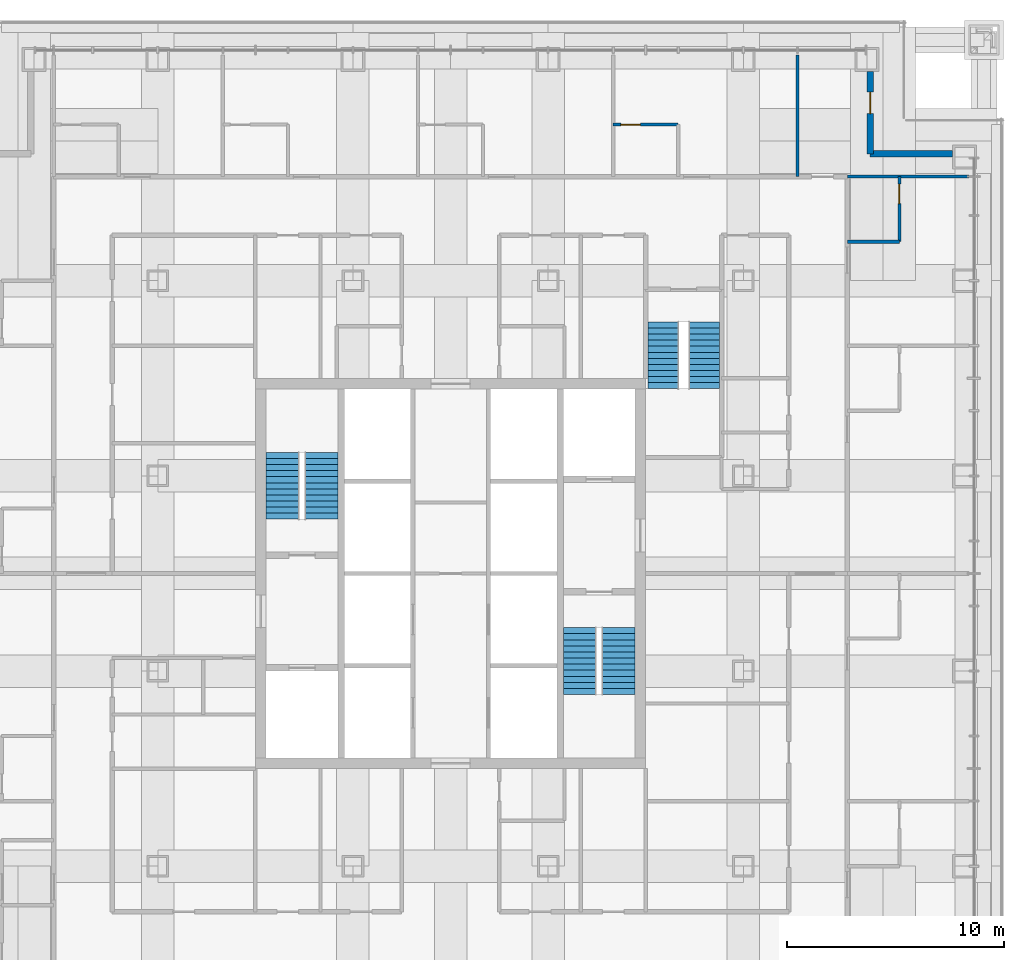
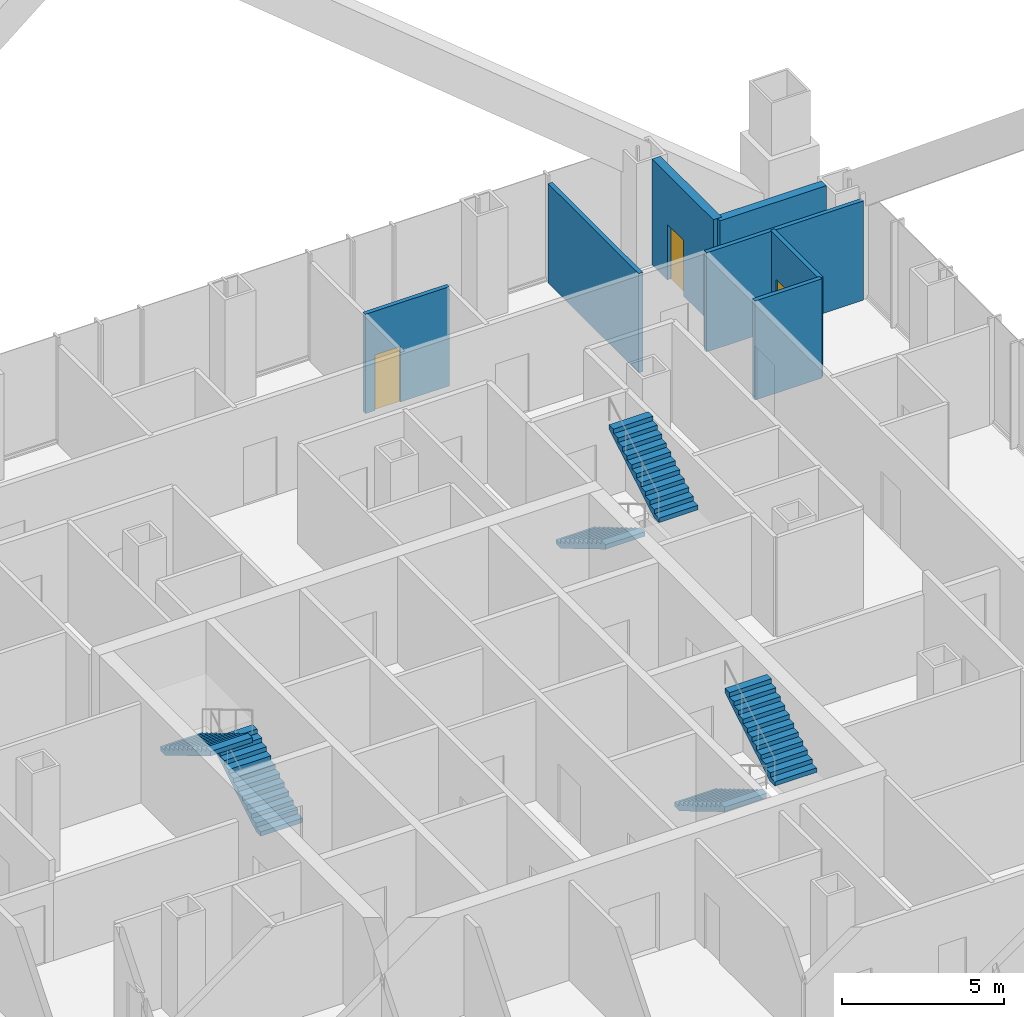
# One storey, part 19 of 20: 7 walls, 6 stair flights, 3 doors, 3 openings, 3 elements without a shape of their own.
"""IFC4 building model written with IfcOpenShell, lengths in metres."""

from ifc_helpers import new_model, si_unit, direction, frame, frame_2d, origin, place, context, subcontext, project, spatial, polyline, rectangle, outline, extrude, material, layer, layer_set, type_object, element, fill, aggregate, save


model = new_model("IFC4")

# Units and contexts
model_context = context("Model", 3, precision=1e-05, world=origin(), true_north=direction((0.0, 1.0)))
body_context = subcontext(model_context, "Body", "Model", "MODEL_VIEW")
ifc_project = project(units=[si_unit("LENGTHUNIT", "METRE"), si_unit("AREAUNIT", "SQUARE_METRE"), si_unit("VOLUMEUNIT", "CUBIC_METRE"), si_unit("PLANEANGLEUNIT", "RADIAN"), si_unit("MASSUNIT", "GRAM", prefix="KILO")], contexts=[model_context])

# Site, building, storey
site_placement = place(None, origin())
site = spatial("IfcSite", under=ifc_project, at=site_placement, CompositionType="ELEMENT")
building_placement = place(site_placement, origin())
building = spatial("IfcBuilding", under=site, at=building_placement, Name="Malebo Sky Hospital", CompositionType="ELEMENT")
storey_placement = place(building_placement, frame((0.0, 0.0, 100.0)))
storey = spatial("IfcBuildingStorey", under=building, at=storey_placement, Name="L23", CompositionType="ELEMENT", Elevation=100.0)

# Wall, opening, door
ifc_material_1 = material(Name="Anodised aluminium rainscreen on steel framing", Category="steel")
ifc_layer_1 = layer(ifc_material_1, 0.300048828125)
ifc_layer_set_1 = layer_set([ifc_layer_1], Name="NOTCH RAINSCREEN WALL 300")
wall_type_1 = type_object("IfcWallType", Name="NOTCH RAINSCREEN WALL 300", PredefinedType="ELEMENTEDWALL", material=ifc_layer_set_1)
wall_1_placement = place(storey_placement, frame((79.35009765625, 85.14990234375, 0.0), z_axis=(0.0, 0.0, 1.0), x_axis=(0.0, -1.0, 0.0)))
wall_1 = element("IfcWall", 1, at=wall_1_placement, inside=storey, type_object=wall_type_1, Name="Notch rainscreen wall N1 L23", PredefinedType="ELEMENTEDWALL", context=body_context, shape_type="SweptSolid", body=[
    extrude(rectangle(XDim=3.7998046875, YDim=0.300048828125, at=frame_2d((1.89990234375, 0.0))), origin(), (0.0, 0.0, 1.0), 4.0),
])
opening_1_placement = place(wall_1_placement, frame((0.949951171875, 0.0, 0.0)))
opening_1 = element("IfcOpeningElement", 2, at=opening_1_placement, cuts=wall_1, Name="Opening D30", PredefinedType="OPENING", context=body_context, shape_type="SweptSolid", body=[
    extrude(rectangle(XDim=1.0, YDim=2.10009765625, at=frame_2d((0.5, 1.050048828125))), frame((0.0, 0.159912109375, 0.0), z_axis=(0.0, -1.0, 0.0), x_axis=(1.0, 0.0, 0.0)), (0.0, 0.0, 1.0), 0.320068359375),
])
ifc_material_2 = material(Name="Galvanised steel weathertight door leaf in steel frame", Category="steel")
door_type_1 = type_object("IfcDoorType", Name="MAINTENANCE ACCESS DOOR 1000", OperationType="SINGLE_SWING_LEFT", PredefinedType="DOOR", material=ifc_material_2)
door_1_placement = place(opening_1_placement, frame((1.0, 0.0, 0.0), z_axis=(0.0, 0.0, 1.0), x_axis=(-1.0, 0.0, 0.0)))
door_1 = element("IfcDoor", 3, at=door_1_placement, inside=storey, type_object=door_type_1, Name="Maintenance access door to roof", OperationType="SINGLE_SWING_LEFT", OverallHeight=2.10009765625, OverallWidth=1.0, PredefinedType="DOOR", context=body_context, shape_type="SweptSolid", body=[
    extrude(rectangle(XDim=1.0, YDim=2.10009765625, at=frame_2d((0.5, 1.050048828125))), frame((0.0, 0.02490234375, 0.0), z_axis=(0.0, -1.0, 0.0), x_axis=(1.0, 0.0, 0.0)), (0.0, 0.0, 1.0), 0.050048828125),
])
fill(opening_1, door_1)

# Walls
wall_2_placement = place(storey_placement, frame((79.35009765625, 81.35009765625, 0.0), z_axis=(0.0, 0.0, 1.0), x_axis=(1.0, 0.0, 0.0)))
element("IfcWall", 4, at=wall_2_placement, inside=storey, type_object=wall_type_1, Name="Notch rainscreen wall N2 L23", PredefinedType="ELEMENTEDWALL", context=body_context, shape_type="SweptSolid", body=[
    extrude(rectangle(XDim=3.7998046875, YDim=0.300048828125, at=frame_2d((1.89990234375, 0.0))), origin(), (0.0, 0.0, 1.0), 4.0),
])
ifc_material_3 = material(Name="Gypsum board on steel studs", Category="steel")
ifc_layer_2 = layer(ifc_material_3, 0.14990234375)
ifc_layer_set_2 = layer_set([ifc_layer_2], Name="PARTITION 150")
wall_type_2 = type_object("IfcWallType", Name="PARTITION 150", PredefinedType="PARTITIONING", material=ifc_layer_set_2)
wall_3_placement = place(storey_placement, frame((76.0, 80.300048828125, 0.0), z_axis=(0.0, 0.0, 1.0), x_axis=(0.0, 1.0, 0.0)))
element("IfcWall", 5, at=wall_3_placement, inside=storey, type_object=wall_type_2, Name="Partition 150 NP+16.0", PredefinedType="PARTITIONING", context=body_context, shape_type="SweptSolid", body=[
    extrude(rectangle(XDim=5.60986328125, YDim=0.14990234375, at=frame_2d((2.804931640625, 0.0))), origin(), (0.0, 0.0, 1.0), 3.75),
])

# Wall, opening, door
wall_4_placement = place(storey_placement, frame((67.5, 82.699951171875, 0.0), z_axis=(0.0, 0.0, 1.0), x_axis=(1.0, 0.0, 0.0)))
wall_4 = element("IfcWall", 6, at=wall_4_placement, inside=storey, type_object=wall_type_2, Name="Partition 150 NE3F", PredefinedType="PARTITIONING", context=body_context, shape_type="SweptSolid", body=[
    extrude(rectangle(XDim=3.0, YDim=0.14990234375, at=frame_2d((1.5, 0.0))), origin(), (0.0, 0.0, 1.0), 3.75),
])
opening_2_placement = place(wall_4_placement, frame((0.35009765625, 0.0, 0.0)))
opening_2 = element("IfcOpeningElement", 7, at=opening_2_placement, cuts=wall_4, Name="Opening D02", PredefinedType="OPENING", context=body_context, shape_type="SweptSolid", body=[
    extrude(rectangle(XDim=0.89990234375, YDim=2.10009765625, at=frame_2d((0.449951171875, 1.050048828125))), frame((0.0, 0.0849609375, 0.0), z_axis=(0.0, -1.0, 0.0), x_axis=(1.0, 0.0, 0.0)), (0.0, 0.0, 1.0), 0.169921875),
])
ifc_material_4 = material(Name="Hardwood-faced door leaf in steel frame", Category="steel")
door_type_2 = type_object("IfcDoorType", Name="EN-SUITE DOOR 900", OperationType="SINGLE_SWING_LEFT", PredefinedType="DOOR", material=ifc_material_4)
door_2_placement = place(opening_2_placement, origin())
door_2 = element("IfcDoor", 8, at=door_2_placement, inside=storey, type_object=door_type_2, Name="En-suite door", OperationType="SINGLE_SWING_LEFT", OverallHeight=2.10009765625, OverallWidth=0.89990234375, PredefinedType="DOOR", context=body_context, shape_type="SweptSolid", body=[
    extrude(rectangle(XDim=0.89990234375, YDim=2.10009765625, at=frame_2d((0.449951171875, 1.050048828125))), frame((0.0, 0.02490234375, 0.0), z_axis=(0.0, -1.0, 0.0), x_axis=(1.0, 0.0, 0.0)), (0.0, 0.0, 1.0), 0.050048828125),
])
fill(opening_2, door_2)

# Wall
wall_5_placement = place(storey_placement, frame((78.300048828125, 80.300048828125, 0.0), z_axis=(0.0, 0.0, 1.0), x_axis=(1.0, 0.0, 0.0)))
element("IfcWall", 9, at=wall_5_placement, inside=storey, type_object=wall_type_2, Name="Partition 150 EP0", PredefinedType="PARTITIONING", context=body_context, shape_type="SweptSolid", body=[
    extrude(rectangle(XDim=5.60986328125, YDim=0.14990234375, at=frame_2d((2.804931640625, 0.0))), origin(), (0.0, 0.0, 1.0), 3.75),
])

# Wall, opening, door
wall_6_placement = place(storey_placement, frame((80.699951171875, 80.300048828125, 0.0), z_axis=(0.0, 0.0, 1.0), x_axis=(0.0, -1.0, 0.0)))
wall_6 = element("IfcWall", 10, at=wall_6_placement, inside=storey, type_object=wall_type_2, Name="Partition 150 EE0F", PredefinedType="PARTITIONING", context=body_context, shape_type="SweptSolid", body=[
    extrude(rectangle(XDim=3.0, YDim=0.14990234375, at=frame_2d((1.5, 0.0))), origin(), (0.0, 0.0, 1.0), 3.75),
])
opening_3_placement = place(wall_6_placement, frame((0.35009765625, 0.0, 0.0)))
opening_3 = element("IfcOpeningElement", 11, at=opening_3_placement, cuts=wall_6, Name="Opening D02", PredefinedType="OPENING", context=body_context, shape_type="SweptSolid", body=[
    extrude(rectangle(XDim=0.89990234375, YDim=2.10009765625, at=frame_2d((0.449951171875, 1.050048828125))), frame((0.0, 0.0849609375, 0.0), z_axis=(0.0, -1.0, 0.0), x_axis=(1.0, 0.0, 0.0)), (0.0, 0.0, 1.0), 0.169921875),
])
door_3_placement = place(opening_3_placement, origin())
door_3 = element("IfcDoor", 12, at=door_3_placement, inside=storey, type_object=door_type_2, Name="En-suite door", OperationType="SINGLE_SWING_LEFT", OverallHeight=2.10009765625, OverallWidth=0.89990234375, PredefinedType="DOOR", context=body_context, shape_type="SweptSolid", body=[
    extrude(rectangle(XDim=0.89990234375, YDim=2.10009765625, at=frame_2d((0.449951171875, 1.050048828125))), frame((0.0, 0.02490234375, 0.0), z_axis=(0.0, -1.0, 0.0), x_axis=(1.0, 0.0, 0.0)), (0.0, 0.0, 1.0), 0.050048828125),
])
fill(opening_3, door_3)

# Wall
wall_7_placement = place(storey_placement, frame((78.300048828125, 77.300048828125, 0.0), z_axis=(0.0, 0.0, 1.0), x_axis=(1.0, 0.0, 0.0)))
element("IfcWall", 13, at=wall_7_placement, inside=storey, type_object=wall_type_2, Name="Partition 150 EE0S", PredefinedType="PARTITIONING", context=body_context, shape_type="SweptSolid", body=[
    extrude(rectangle(XDim=2.39990234375, YDim=0.14990234375, at=frame_2d((1.199951171875, 0.0))), origin(), (0.0, 0.0, 1.0), 3.75),
])

# Stair, stair flights
ifc_material_5 = material(Name="Concrete C40/50", Category="concrete")
stair_type_1 = type_object("IfcStairType", Name="HALF-TURN STAIR 1400 R167", PredefinedType="HALF_TURN_STAIR", material=ifc_material_5)
stair_1_placement = place(storey_placement, origin())
stair_1 = element("IfcStair", 14, at=stair_1_placement, inside=storey, type_object=stair_type_1, Name="Stair S3 L23 type ST1B", PredefinedType="HALF_TURN_STAIR")
stair_flight_type_1 = type_object("IfcStairFlightType", Name="STAIR FLIGHT 1400 R167", PredefinedType="STRAIGHT", material=ifc_material_5)
stair_flight_1_placement = place(storey_placement, frame((69.800048828125, 73.60009765625, 0.0), z_axis=(0.0, 0.0, 1.0), x_axis=(0.0, -1.0, 0.0)))
stair_flight_1 = element("IfcStairFlight", 15, at=stair_flight_1_placement, type_object=stair_flight_type_1, Name="S3 flight 1 type SF1B", NumberOfRisers=12, NumberOfTreads=11, PredefinedType="STRAIGHT", RiserHeight=0.166666667, TreadLength=0.28, context=body_context, shape_type="SweptSolid", body=[
    extrude(outline(polyline([(0.0, 0.0), (0.0, 0.166748046875), (0.280029296875, 0.166748046875), (0.280029296875, 0.333251953125), (0.56005859375, 0.333251953125), (0.56005859375, 0.5), (0.840087890625, 0.5), (0.840087890625, 0.666748046875), (1.1201171875, 0.666748046875), (1.1201171875, 0.833251953125), (1.39990234375, 0.833251953125), (1.39990234375, 1.0), (1.679931640625, 1.0), (1.679931640625, 1.166748046875), (1.9599609375, 1.166748046875), (1.9599609375, 1.333251953125), (2.239990234375, 1.333251953125), (2.239990234375, 1.5), (2.52001953125, 1.5), (2.52001953125, 1.666748046875), (2.800048828125, 1.666748046875), (2.800048828125, 1.833251953125), (3.080078125, 1.833251953125), (3.080078125, 2.0), (3.080078125, 1.658935546875), (0.29296875, 0.0), (0.0, 0.0)])), frame((0.0, 0.699951171875, 0.0), z_axis=(0.0, -1.0, 0.0), x_axis=(1.0, 0.0, 0.0)), (0.0, 0.0, 1.0), 1.39990234375),
])
stair_flight_2_placement = place(storey_placement, frame((71.699951171875, 70.52001953125, 2.0), z_axis=(0.0, 0.0, 1.0), x_axis=(0.0, 1.0, 0.0)))
stair_flight_2 = element("IfcStairFlight", 16, at=stair_flight_2_placement, type_object=stair_flight_type_1, Name="S3 flight 2 type SF1B", NumberOfRisers=12, NumberOfTreads=11, PredefinedType="STRAIGHT", RiserHeight=0.166666667, TreadLength=0.28, context=body_context, shape_type="SweptSolid", body=[
    extrude(outline(polyline([(0.0, 0.0), (0.0, 0.166748046875), (0.280029296875, 0.166748046875), (0.280029296875, 0.333251953125), (0.56005859375, 0.333251953125), (0.56005859375, 0.5), (0.840087890625, 0.5), (0.840087890625, 0.666748046875), (1.1201171875, 0.666748046875), (1.1201171875, 0.833251953125), (1.39990234375, 0.833251953125), (1.39990234375, 1.0), (1.679931640625, 1.0), (1.679931640625, 1.166748046875), (1.9599609375, 1.166748046875), (1.9599609375, 1.333251953125), (2.239990234375, 1.333251953125), (2.239990234375, 1.5), (2.52001953125, 1.5), (2.52001953125, 1.666748046875), (2.800048828125, 1.666748046875), (2.800048828125, 1.833251953125), (3.080078125, 1.833251953125), (3.080078125, 2.0), (3.080078125, 1.658935546875), (0.29296875, 0.0), (0.0, 0.0)])), frame((0.0, 0.699951171875, 0.0), z_axis=(0.0, -1.0, 0.0), x_axis=(1.0, 0.0, 0.0)), (0.0, 0.0, 1.0), 1.39990234375),
])
aggregate(stair_1, [stair_flight_1, stair_flight_2])

stair_type_2 = type_object("IfcStairType", Name="HALF-TURN STAIR 1500 R167", PredefinedType="HALF_TURN_STAIR", material=ifc_material_5)
stair_2_placement = place(storey_placement, origin())
stair_2 = element("IfcStair", 17, at=stair_2_placement, inside=storey, type_object=stair_type_2, Name="Stair S1 L23 type ST1", PredefinedType="HALF_TURN_STAIR")
stair_flight_type_2 = type_object("IfcStairFlightType", Name="STAIR FLIGHT 1500 R167", PredefinedType="STRAIGHT", material=ifc_material_5)
stair_flight_3_placement = place(storey_placement, frame((54.050048828125, 64.5, 0.0), z_axis=(0.0, 0.0, 1.0), x_axis=(0.0, 1.0, 0.0)))
stair_flight_3 = element("IfcStairFlight", 18, at=stair_flight_3_placement, type_object=stair_flight_type_2, Name="S1 flight 1 type SF1", NumberOfRisers=12, NumberOfTreads=11, PredefinedType="STRAIGHT", RiserHeight=0.166666667, TreadLength=0.28, context=body_context, shape_type="SweptSolid", body=[
    extrude(outline(polyline([(0.0, 0.0), (0.0, 0.166748046875), (0.280029296875, 0.166748046875), (0.280029296875, 0.333251953125), (0.56005859375, 0.333251953125), (0.56005859375, 0.5), (0.840087890625, 0.5), (0.840087890625, 0.666748046875), (1.1201171875, 0.666748046875), (1.1201171875, 0.833251953125), (1.39990234375, 0.833251953125), (1.39990234375, 1.0), (1.679931640625, 1.0), (1.679931640625, 1.166748046875), (1.9599609375, 1.166748046875), (1.9599609375, 1.333251953125), (2.239990234375, 1.333251953125), (2.239990234375, 1.5), (2.52001953125, 1.5), (2.52001953125, 1.666748046875), (2.800048828125, 1.666748046875), (2.800048828125, 1.833251953125), (3.080078125, 1.833251953125), (3.080078125, 2.0), (3.080078125, 1.658935546875), (0.29296875, 0.0), (0.0, 0.0)])), frame((0.0, 0.75, 0.0), z_axis=(0.0, -1.0, 0.0), x_axis=(1.0, 0.0, 0.0)), (0.0, 0.0, 1.0), 1.5),
])
stair_flight_4_placement = place(storey_placement, frame((52.25, 67.580078125, 2.0), z_axis=(0.0, 0.0, 1.0), x_axis=(0.0, -1.0, 0.0)))
stair_flight_4 = element("IfcStairFlight", 19, at=stair_flight_4_placement, type_object=stair_flight_type_2, Name="S1 flight 2 type SF1", NumberOfRisers=12, NumberOfTreads=11, PredefinedType="STRAIGHT", RiserHeight=0.166666667, TreadLength=0.28, context=body_context, shape_type="SweptSolid", body=[
    extrude(outline(polyline([(0.0, 0.0), (0.0, 0.166748046875), (0.280029296875, 0.166748046875), (0.280029296875, 0.333251953125), (0.56005859375, 0.333251953125), (0.56005859375, 0.5), (0.840087890625, 0.5), (0.840087890625, 0.666748046875), (1.1201171875, 0.666748046875), (1.1201171875, 0.833251953125), (1.39990234375, 0.833251953125), (1.39990234375, 1.0), (1.679931640625, 1.0), (1.679931640625, 1.166748046875), (1.9599609375, 1.166748046875), (1.9599609375, 1.333251953125), (2.239990234375, 1.333251953125), (2.239990234375, 1.5), (2.52001953125, 1.5), (2.52001953125, 1.666748046875), (2.800048828125, 1.666748046875), (2.800048828125, 1.833251953125), (3.080078125, 1.833251953125), (3.080078125, 2.0), (3.080078125, 1.658935546875), (0.29296875, 0.0), (0.0, 0.0)])), frame((0.0, 0.75, 0.0), z_axis=(0.0, -1.0, 0.0), x_axis=(1.0, 0.0, 0.0)), (0.0, 0.0, 1.0), 1.5),
])
aggregate(stair_2, [stair_flight_3, stair_flight_4])

stair_3_placement = place(storey_placement, origin())
stair_3 = element("IfcStair", 20, at=stair_3_placement, inside=storey, type_object=stair_type_2, Name="Stair S2 L23 type ST1", PredefinedType="HALF_TURN_STAIR")
stair_flight_5_placement = place(storey_placement, frame((65.949951171875, 59.5, 0.0), z_axis=(0.0, 0.0, 1.0), x_axis=(0.0, -1.0, 0.0)))
stair_flight_5 = element("IfcStairFlight", 21, at=stair_flight_5_placement, type_object=stair_flight_type_2, Name="S2 flight 1 type SF1", NumberOfRisers=12, NumberOfTreads=11, PredefinedType="STRAIGHT", RiserHeight=0.166666667, TreadLength=0.28, context=body_context, shape_type="SweptSolid", body=[
    extrude(outline(polyline([(0.0, 0.0), (0.0, 0.166748046875), (0.280029296875, 0.166748046875), (0.280029296875, 0.333251953125), (0.56005859375, 0.333251953125), (0.56005859375, 0.5), (0.840087890625, 0.5), (0.840087890625, 0.666748046875), (1.1201171875, 0.666748046875), (1.1201171875, 0.833251953125), (1.39990234375, 0.833251953125), (1.39990234375, 1.0), (1.679931640625, 1.0), (1.679931640625, 1.166748046875), (1.9599609375, 1.166748046875), (1.9599609375, 1.333251953125), (2.239990234375, 1.333251953125), (2.239990234375, 1.5), (2.52001953125, 1.5), (2.52001953125, 1.666748046875), (2.800048828125, 1.666748046875), (2.800048828125, 1.833251953125), (3.080078125, 1.833251953125), (3.080078125, 2.0), (3.080078125, 1.658935546875), (0.29296875, 0.0), (0.0, 0.0)])), frame((0.0, 0.75, 0.0), z_axis=(0.0, -1.0, 0.0), x_axis=(1.0, 0.0, 0.0)), (0.0, 0.0, 1.0), 1.5),
])
stair_flight_6_placement = place(storey_placement, frame((67.75, 56.419921875, 2.0), z_axis=(0.0, 0.0, 1.0), x_axis=(0.0, 1.0, 0.0)))
stair_flight_6 = element("IfcStairFlight", 22, at=stair_flight_6_placement, type_object=stair_flight_type_2, Name="S2 flight 2 type SF1", NumberOfRisers=12, NumberOfTreads=11, PredefinedType="STRAIGHT", RiserHeight=0.166666667, TreadLength=0.28, context=body_context, shape_type="SweptSolid", body=[
    extrude(outline(polyline([(0.0, 0.0), (0.0, 0.166748046875), (0.280029296875, 0.166748046875), (0.280029296875, 0.333251953125), (0.56005859375, 0.333251953125), (0.56005859375, 0.5), (0.840087890625, 0.5), (0.840087890625, 0.666748046875), (1.1201171875, 0.666748046875), (1.1201171875, 0.833251953125), (1.39990234375, 0.833251953125), (1.39990234375, 1.0), (1.679931640625, 1.0), (1.679931640625, 1.166748046875), (1.9599609375, 1.166748046875), (1.9599609375, 1.333251953125), (2.239990234375, 1.333251953125), (2.239990234375, 1.5), (2.52001953125, 1.5), (2.52001953125, 1.666748046875), (2.800048828125, 1.666748046875), (2.800048828125, 1.833251953125), (3.080078125, 1.833251953125), (3.080078125, 2.0), (3.080078125, 1.658935546875), (0.29296875, 0.0), (0.0, 0.0)])), frame((0.0, 0.75, 0.0), z_axis=(0.0, -1.0, 0.0), x_axis=(1.0, 0.0, 0.0)), (0.0, 0.0, 1.0), 1.5),
])
aggregate(stair_3, [stair_flight_5, stair_flight_6])

save(model, "model.ifc")
